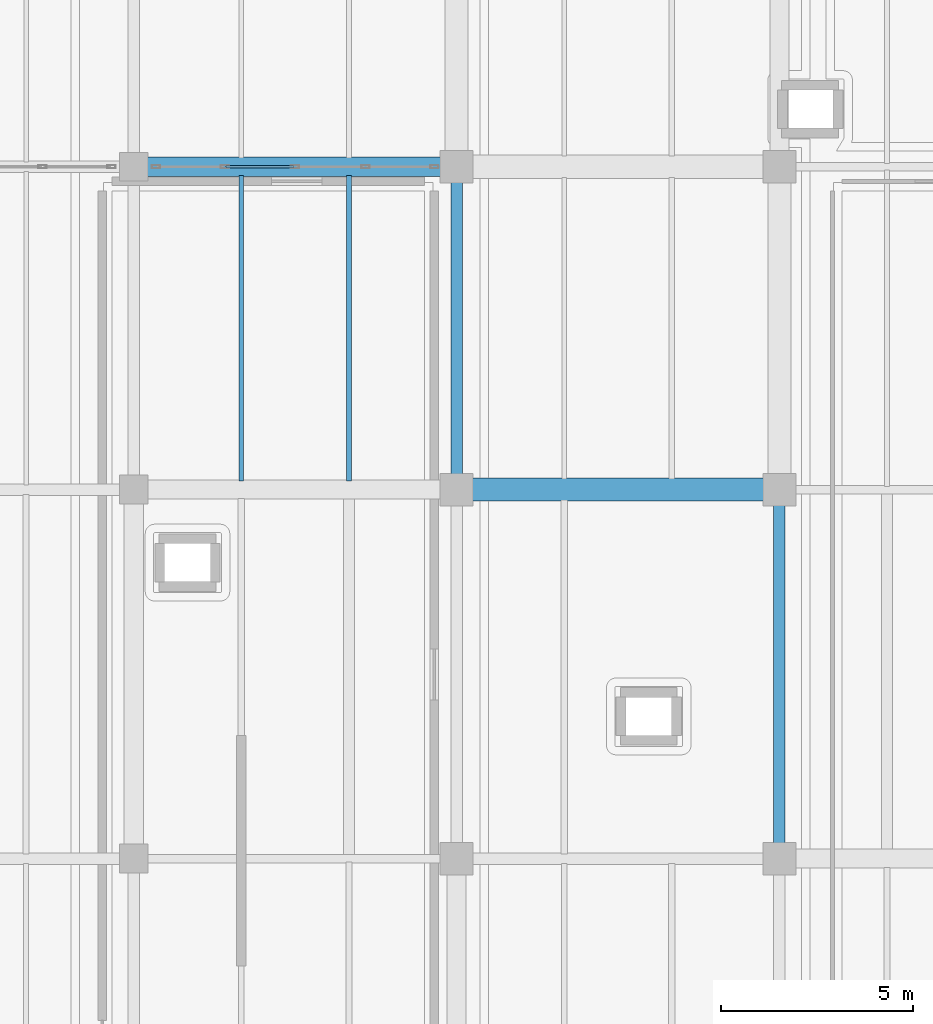
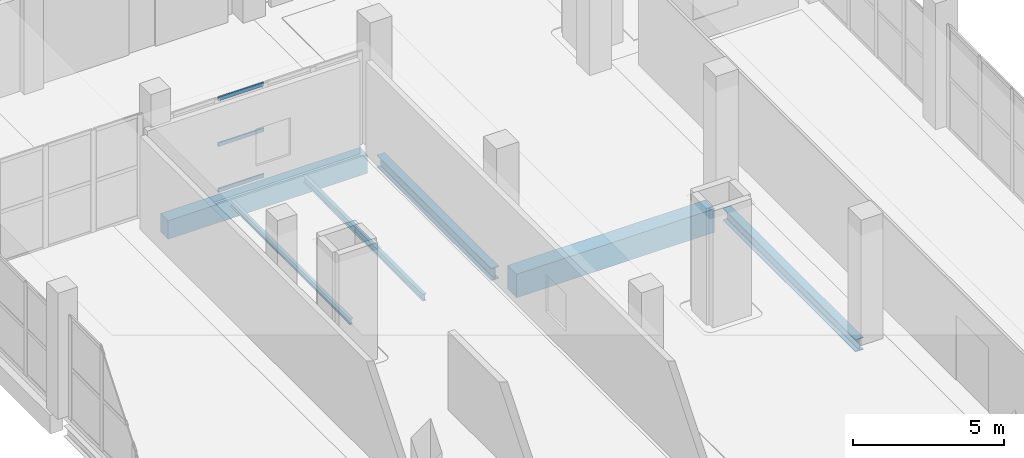
# One storey, part 25 of 66: 6 beams, 3 members, 1 element without a shape of its own.
"""IFC4 building model written with IfcOpenShell, lengths in metres."""

from ifc_helpers import new_model, si_unit, direction, frame, origin, origin_2d, place, context, subcontext, project, spatial, rectangle, hollow_rectangle, i_section, extrude, material, layer, layer_set, material_profile, profile_set, type_object, element, aggregate, save


model = new_model("IFC4")

# Units and contexts
model_context = context("Model", 3, precision=1e-05, world=origin(), true_north=direction((0.0, 1.0)))
body_context = subcontext(model_context, "Body", "Model", "MODEL_VIEW")
ifc_project = project(units=[si_unit("LENGTHUNIT", "METRE"), si_unit("AREAUNIT", "SQUARE_METRE"), si_unit("VOLUMEUNIT", "CUBIC_METRE"), si_unit("PLANEANGLEUNIT", "RADIAN"), si_unit("MASSUNIT", "GRAM", prefix="KILO")], contexts=[model_context])

# Site, building, storey
site_placement = place(None, origin())
site = spatial("IfcSite", under=ifc_project, at=site_placement, CompositionType="ELEMENT")
building_placement = place(site_placement, origin())
building = spatial("IfcBuilding", under=site, at=building_placement, Name="Zulmaris Art Gallery", CompositionType="ELEMENT")
storey_placement = place(building_placement, frame((0.0, 0.0, 5.39990234375)))
storey = spatial("IfcBuildingStorey", under=building, at=storey_placement, Name="L01", CompositionType="ELEMENT", Elevation=5.39990234375)

# Beams
ifc_material_1 = material(Name="Steel S355J2", Category="steel")
ifc_material_profile_1 = material_profile(ifc_material_1, i_section(OverallWidth=0.300048828125, OverallDepth=0.5, WebThickness=0.014404296875, FlangeThickness=0.028076171875, FilletRadius=0.027099609375, at=origin_2d()), Name="HEB 500")
ifc_profile_set_1 = profile_set([ifc_material_profile_1], Name="Steel S355J2")
beam_type_1 = type_object("IfcBeamType", Name="BEAM-BM14", PredefinedType="BEAM", material=ifc_profile_set_1)
beam_1_placement = place(storey_placement, frame((141.60009765625, 50.81005859375, -0.579833984375), z_axis=(0.0, 1.0, 0.0), x_axis=(-1.0, 0.0, 0.0)))
element("IfcBeam", 1, at=beam_1_placement, inside=storey, type_object=beam_type_1, Name="L01 Y-girder (x=141.6, 50.4..58.8)", PredefinedType="BEAM", context=body_context, shape_type="SweptSolid", body=[
    extrude(i_section(OverallWidth=0.300048828125, OverallDepth=0.5, WebThickness=0.014404296875, FlangeThickness=0.028076171875, FilletRadius=0.027099609375, at=origin_2d()), origin(), (0.0, 0.0, 1.0), 7.579833984375),
])
beam_2_placement = place(storey_placement, frame((150.0, 41.2099609375, -0.579833984375), z_axis=(0.0, 1.0, 0.0), x_axis=(-1.0, 0.0, 0.0)))
element("IfcBeam", 2, at=beam_2_placement, inside=storey, type_object=beam_type_1, Name="L01 Y-girder (x=150.0, 40.8..50.4)", PredefinedType="BEAM", context=body_context, shape_type="SweptSolid", body=[
    extrude(i_section(OverallWidth=0.300048828125, OverallDepth=0.5, WebThickness=0.014404296875, FlangeThickness=0.028076171875, FilletRadius=0.027099609375, at=origin_2d()), origin(), (0.0, 0.0, 1.0), 8.780029296875),
])
ifc_material_2 = material(Name="Concrete C40/50", Category="concrete")
ifc_material_profile_2 = material_profile(ifc_material_2, rectangle(XDim=0.5, YDim=0.75, at=origin_2d()), Name="RC 500x750")
ifc_profile_set_2 = profile_set([ifc_material_profile_2], Name="Concrete C40/50")
beam_type_2 = type_object("IfcBeamType", Name="BEAM-BM20", PredefinedType="BEAM", material=ifc_profile_set_2)
beam_3_placement = place(storey_placement, frame((133.56005859375, 58.800048828125, -0.704833984375), z_axis=(1.0, 0.0, 0.0), x_axis=(0.0, 1.0, 0.0)))
element("IfcBeam", 3, at=beam_3_placement, inside=storey, type_object=beam_type_2, Name="L01 X-girder (133.2..141.6, y=58.8)", PredefinedType="BEAM", context=body_context, shape_type="SweptSolid", body=[
    extrude(rectangle(XDim=0.5, YDim=0.75, at=origin_2d()), origin(), (0.0, 0.0, 1.0), 7.6298828125),
])
ifc_material_profile_3 = material_profile(ifc_material_2, rectangle(XDim=0.60009765625, YDim=0.949951171875, at=origin_2d()), Name="RC 600x950")
ifc_profile_set_3 = profile_set([ifc_material_profile_3], Name="Concrete C40/50")
beam_type_3 = type_object("IfcBeamType", Name="BEAM-BM22", PredefinedType="BEAM", material=ifc_profile_set_3)
beam_4_placement = place(storey_placement, frame((142.010009765625, 50.39990234375, -0.804931640625), z_axis=(1.0, 0.0, 0.0), x_axis=(0.0, 1.0, 0.0)))
element("IfcBeam", 4, at=beam_4_placement, inside=storey, type_object=beam_type_3, Name="L01 X-girder (141.6..150.0, y=50.4)", PredefinedType="BEAM", context=body_context, shape_type="SweptSolid", body=[
    extrude(rectangle(XDim=0.60009765625, YDim=0.949951171875, at=origin_2d()), origin(), (0.0, 0.0, 1.0), 7.580078125),
])
ifc_material_profile_4 = material_profile(ifc_material_1, i_section(OverallWidth=0.1201171875, OverallDepth=0.239990234375, WebThickness=0.006103515625, FlangeThickness=0.009765625, FilletRadius=0.014892578125, at=origin_2d()), Name="IPE 240")
ifc_profile_set_4 = profile_set([ifc_material_profile_4], Name="Steel S355J2")
beam_type_4 = type_object("IfcBeamType", Name="BEAM-JS01", PredefinedType="JOIST", material=ifc_profile_set_4)
beam_5_placement = place(storey_placement, frame((136.0, 50.625, -0.449951171875), z_axis=(0.0, 1.0, 0.0), x_axis=(-1.0, 0.0, 0.0)))
element("IfcBeam", 5, at=beam_5_placement, inside=storey, type_object=beam_type_4, Name="L01 secondary joist at x=136.0", PredefinedType="JOIST", context=body_context, shape_type="SweptSolid", body=[
    extrude(i_section(OverallWidth=0.1201171875, OverallDepth=0.239990234375, WebThickness=0.006103515625, FlangeThickness=0.009765625, FilletRadius=0.014892578125, at=origin_2d()), origin(), (0.0, 0.0, 1.0), 7.949951171875),
])
ifc_material_profile_5 = material_profile(ifc_material_1, i_section(OverallWidth=0.135009765625, OverallDepth=0.27001953125, WebThickness=0.006591796875, FlangeThickness=0.01025390625, FilletRadius=0.014892578125, at=origin_2d()), Name="IPE 270")
ifc_profile_set_5 = profile_set([ifc_material_profile_5], Name="Steel S355J2")
beam_type_5 = type_object("IfcBeamType", Name="BEAM-JS02", PredefinedType="JOIST", material=ifc_profile_set_5)
beam_6_placement = place(storey_placement, frame((138.800048828125, 50.625, -0.46484375), z_axis=(0.0, 1.0, 0.0), x_axis=(-1.0, 0.0, 0.0)))
element("IfcBeam", 6, at=beam_6_placement, inside=storey, type_object=beam_type_5, Name="L01 secondary joist at x=138.8", PredefinedType="JOIST", context=body_context, shape_type="SweptSolid", body=[
    extrude(i_section(OverallWidth=0.135009765625, OverallDepth=0.27001953125, WebThickness=0.006591796875, FlangeThickness=0.01025390625, FilletRadius=0.014892578125, at=origin_2d()), origin(), (0.0, 0.0, 1.0), 7.949951171875),
])

# Curtain wall, members
ifc_material_3 = material(Name="Unitised Low-E Gallery Curtain Wall", Category="aluminium")
ifc_layer = layer(ifc_material_3, 0.179931640625)
ifc_layer_set = layer_set([ifc_layer], Name="Unitised Low-E Gallery Curtain Wall")
curtain_wall_type = type_object("IfcCurtainWallType", Name="CW-CW01", PredefinedType="NOTDEFINED", material=ifc_layer_set)
curtain_wall_placement = place(storey_placement, origin())
curtain_wall = element("IfcCurtainWall", 7, at=curtain_wall_placement, inside=storey, type_object=curtain_wall_type, Name="L01 curtain wall 99", PredefinedType="NOTDEFINED")
ifc_material_4 = material(Name="Anodised Bronze Aluminium", Category="aluminium")
ifc_material_profile_6 = material_profile(ifc_material_4, hollow_rectangle(XDim=0.06494140625, YDim=0.14990234375, WallThickness=0.00390625, InnerFilletRadius=0.006103515625, OuterFilletRadius=0.010009765625, at=origin_2d()), Name="ALU 65x150x4")
ifc_profile_set_6 = profile_set([ifc_material_profile_6], Name="Anodised Bronze Aluminium")
member_type = type_object("IfcMemberType", Name="CWTRN-01", PredefinedType="USERDEFINED", material=ifc_profile_set_6)
member_1_placement = place(storey_placement, frame((135.607421875, 58.800048828125, 0.03759765625), z_axis=(1.0, 0.0, 0.0), x_axis=(0.0, 1.0, 0.0)))
member_1 = element("IfcMember", 8, at=member_1_placement, type_object=member_type, Name="CW01 transom 2.1", ObjectType="TRANSOM", PredefinedType="USERDEFINED", context=body_context, shape_type="SweptSolid", body=[
    extrude(hollow_rectangle(XDim=0.06494140625, YDim=0.14990234375, WallThickness=0.00390625, InnerFilletRadius=0.006103515625, OuterFilletRadius=0.010009765625, at=origin_2d()), origin(), (0.0, 0.0, 1.0), 1.755126953125),
])
member_2_placement = place(storey_placement, frame((135.607421875, 58.800048828125, 1.885009765625), z_axis=(1.0, 0.0, 0.0), x_axis=(0.0, 1.0, 0.0)))
member_2 = element("IfcMember", 9, at=member_2_placement, type_object=member_type, Name="CW01 transom 2.2", ObjectType="TRANSOM", PredefinedType="USERDEFINED", context=body_context, shape_type="SweptSolid", body=[
    extrude(hollow_rectangle(XDim=0.06494140625, YDim=0.14990234375, WallThickness=0.00390625, InnerFilletRadius=0.006103515625, OuterFilletRadius=0.010009765625, at=origin_2d()), origin(), (0.0, 0.0, 1.0), 1.755126953125),
])
member_3_placement = place(storey_placement, frame((135.607421875, 58.800048828125, 3.732666015625), z_axis=(1.0, 0.0, 0.0), x_axis=(0.0, 1.0, 0.0)))
member_3 = element("IfcMember", 10, at=member_3_placement, type_object=member_type, Name="CW01 transom 2.3", ObjectType="TRANSOM", PredefinedType="USERDEFINED", context=body_context, shape_type="SweptSolid", body=[
    extrude(hollow_rectangle(XDim=0.06494140625, YDim=0.14990234375, WallThickness=0.00390625, InnerFilletRadius=0.006103515625, OuterFilletRadius=0.010009765625, at=origin_2d()), origin(), (0.0, 0.0, 1.0), 1.755126953125),
])
aggregate(curtain_wall, [member_1, member_2, member_3])

save(model, "model.ifc")
